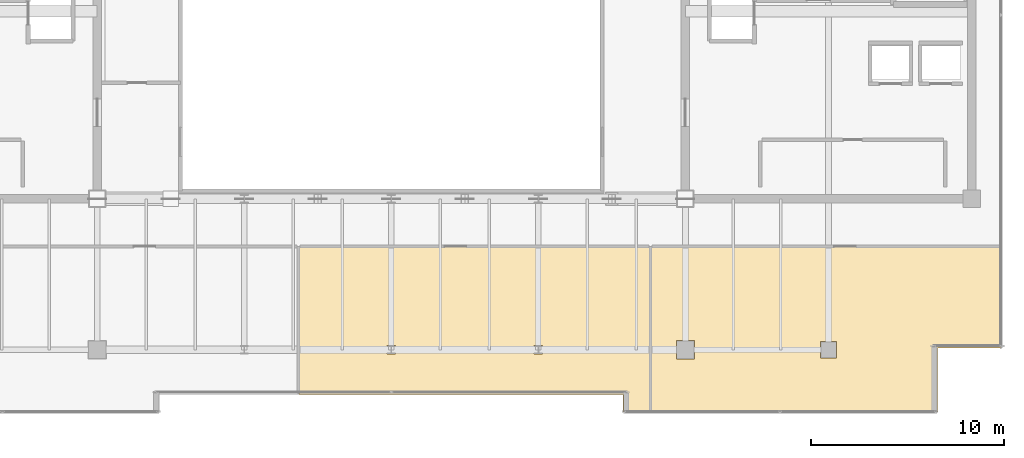
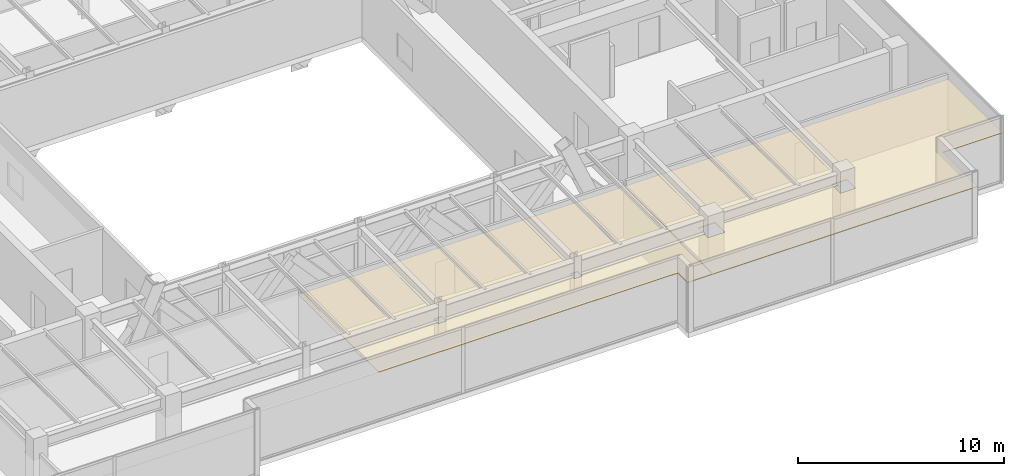
# One storey, part 30 of 32: 2 coverings.
"""IFC4 building model written with IfcOpenShell, lengths in metres."""

from ifc_helpers import new_model, si_unit, direction, frame, origin, place, context, subcontext, project, spatial, polyline, outline, extrude, material, layer, layer_set, type_object, element, save


model = new_model("IFC4")

# Units and contexts
model_context = context("Model", 3, precision=1e-05, world=origin(), true_north=direction((0.0, 1.0)))
body_context = subcontext(model_context, "Body", "Model", "MODEL_VIEW")
ifc_project = project(units=[si_unit("LENGTHUNIT", "METRE"), si_unit("AREAUNIT", "SQUARE_METRE"), si_unit("VOLUMEUNIT", "CUBIC_METRE"), si_unit("PLANEANGLEUNIT", "RADIAN"), si_unit("MASSUNIT", "GRAM", prefix="KILO")], contexts=[model_context])

# Site, building, storey
site_placement = place(None, origin())
site = spatial("IfcSite", under=ifc_project, at=site_placement, CompositionType="ELEMENT")
building_placement = place(site_placement, origin())
building = spatial("IfcBuilding", under=site, at=building_placement, Name="Haelvirn Gate Laboratories", CompositionType="ELEMENT")
storey_placement = place(building_placement, frame((0.0, 0.0, 301.800048828125)))
storey = spatial("IfcBuildingStorey", under=building, at=storey_placement, Name="L72", CompositionType="ELEMENT", Elevation=301.800048828125)

# Coverings
ifc_material = material(Name="Micro-perforated acoustic mineral-fibre laboratory ceiling")
ifc_layer = layer(ifc_material, 0.0400390625, Name="COV-CEIL-ACT")
ifc_layer_set = layer_set([ifc_layer], Name="Micro-perforated acoustic mineral-fibre laboratory ceiling")
covering_type = type_object("IfcCoveringType", Name="COV-CEIL-ACT", PredefinedType="CEILING", material=ifc_layer_set)
covering_1_placement = place(storey_placement, frame((0.0, 0.0, 2.929931640625)))
element("IfcCovering", 1, at=covering_1_placement, inside=storey, type_object=covering_type, Name="L72 Laboratory Acoustic Ceiling CEIL-SP-L72-S-03", PredefinedType="CEILING", context=body_context, shape_type="SweptSolid", body=[
    extrude(outline(polyline([(32.6201171875, 4.679931640625), (32.6201171875, 12.330078125), (50.780029296875, 12.330078125), (50.780029296875, 3.75), (49.3798828125, 3.75), (49.3798828125, 4.679931640625), (32.6201171875, 4.679931640625)]), holes=[polyline([(37.179931640625, 7.219970703125), (37.179931640625, 6.780029296875), (37.6201171875, 6.780029296875), (37.6201171875, 7.219970703125), (37.179931640625, 7.219970703125)]), polyline([(45.219970703125, 7.219970703125), (44.780029296875, 7.219970703125), (44.780029296875, 6.780029296875), (45.219970703125, 6.780029296875), (45.219970703125, 7.219970703125)])]), origin(), (0.0, 0.0, 1.0), 0.0400390625),
])
covering_2_placement = place(storey_placement, frame((0.0, 0.0, 2.929931640625)))
element("IfcCovering", 2, at=covering_2_placement, inside=storey, type_object=covering_type, Name="L72 Laboratory Acoustic Ceiling CEIL-SP-L72-S-04", PredefinedType="CEILING", context=body_context, shape_type="SweptSolid", body=[
    extrude(outline(polyline([(50.820068359375, 3.75), (50.820068359375, 12.330078125), (68.949951171875, 12.330078125), (68.949951171875, 7.080078125), (65.6201171875, 7.080078125), (65.6201171875, 3.75), (50.820068359375, 3.75)]), holes=[polyline([(52.1298828125, 7.469970703125), (52.1298828125, 6.530029296875), (53.070068359375, 6.530029296875), (53.070068359375, 7.469970703125), (52.1298828125, 7.469970703125)]), polyline([(60.419921875, 7.419921875), (59.580078125, 7.419921875), (59.580078125, 6.580078125), (60.419921875, 6.580078125), (60.419921875, 7.419921875)])]), origin(), (0.0, 0.0, 1.0), 0.0400390625),
])

save(model, "model.ifc")
